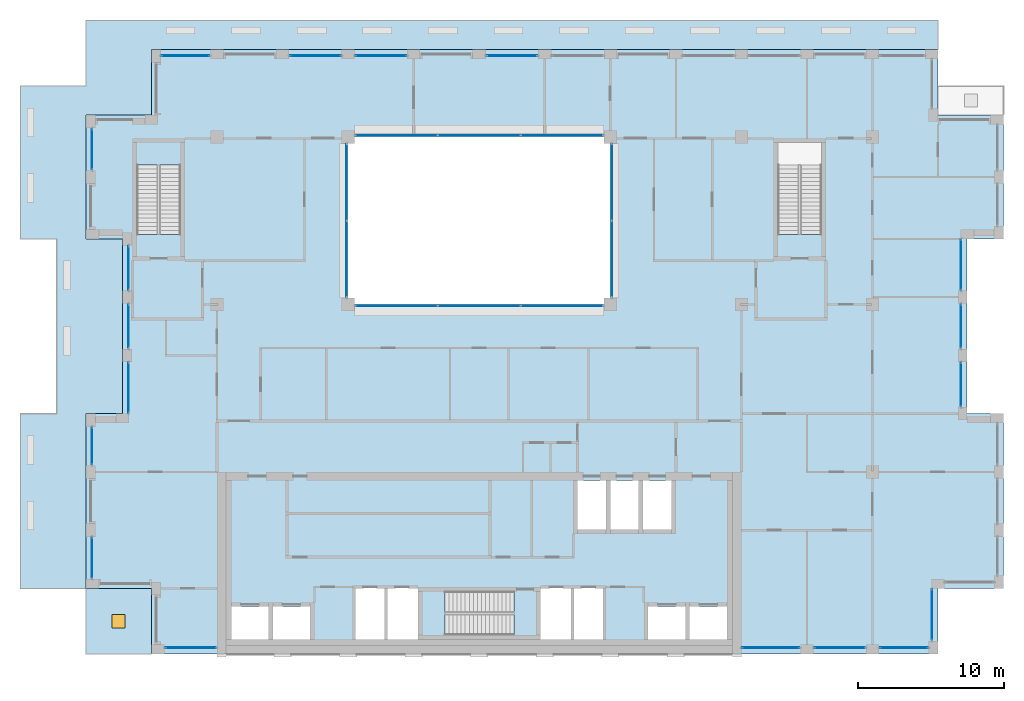
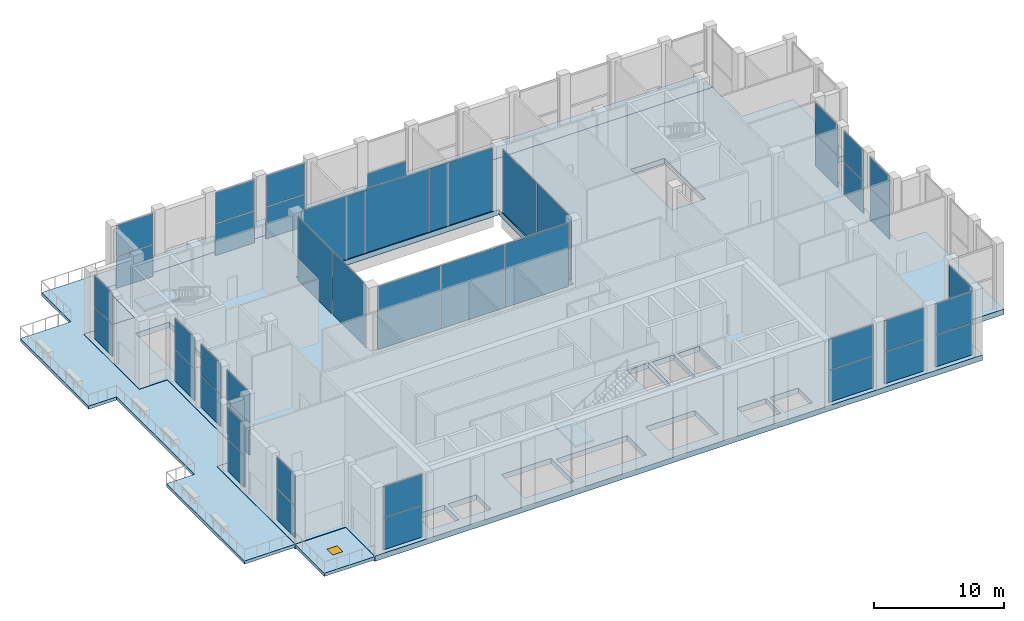
# One storey, part 10 of 18: 45 plates, 5 slabs, 1 window, 1 opening, 24 elements without a shape of their own.
"""IFC4 building model written with IfcOpenShell, lengths in metres."""

from ifc_helpers import new_model, si_unit, direction, frame, origin, origin_2d, place, context, subcontext, project, spatial, polyline, rectangle, outline, extrude, material, layer, layer_set, type_object, element, fill, aggregate, save


model = new_model("IFC4")

# Units and contexts
model_context = context("Model", 3, precision=1e-05, world=origin(), true_north=direction((0.0, 1.0)))
body_context = subcontext(model_context, "Body", "Model", "MODEL_VIEW")
ifc_project = project(units=[si_unit("LENGTHUNIT", "METRE"), si_unit("AREAUNIT", "SQUARE_METRE"), si_unit("VOLUMEUNIT", "CUBIC_METRE"), si_unit("PLANEANGLEUNIT", "RADIAN"), si_unit("MASSUNIT", "GRAM", prefix="KILO")], contexts=[model_context])

# Site, building, storey
site_placement = place(None, origin())
site = spatial("IfcSite", under=ifc_project, at=site_placement, CompositionType="ELEMENT")
building_placement = place(site_placement, origin())
building = spatial("IfcBuilding", under=site, at=building_placement, Name="Brigalow Station Residences", CompositionType="ELEMENT")
storey_placement = place(building_placement, frame((0.0, 0.0, 191.699951171875)))
storey = spatial("IfcBuildingStorey", under=building, at=storey_placement, Name="L55", CompositionType="ELEMENT", Elevation=191.699951171875)

# Curtain wall, plates
ifc_material_1 = material(Name="Aluminium", Category="aluminium")
ifc_layer_1 = layer(ifc_material_1, 0.14990234375)
ifc_layer_set_1 = layer_set([ifc_layer_1], Name="ATRIUM FIRE-RATED GLAZING CURTAIN WALL")
curtain_wall_type_1 = type_object("IfcCurtainWallType", Name="ATRIUM FIRE-RATED GLAZING CURTAIN WALL", PredefinedType="NOTDEFINED", material=ifc_layer_set_1)
curtain_wall_1_placement = place(storey_placement, origin())
curtain_wall_1 = element("IfcCurtainWall", 1, at=curtain_wall_1_placement, inside=storey, type_object=curtain_wall_type_1, Name="L55/cw/atrium-S", PredefinedType="NOTDEFINED")
ifc_material_2 = material(Name="Fire-resisting laminated glazing, FRL -/60/-", Category="glass")
ifc_layer_2 = layer(ifc_material_2, 0.031982421875)
ifc_layer_set_2 = layer_set([ifc_layer_2], Name="ATRIUM FIRE-RATED GLAZING PANEL 32")
plate_type_1 = type_object("IfcPlateType", Name="ATRIUM FIRE-RATED GLAZING PANEL 32", PredefinedType="CURTAIN_PANEL", material=ifc_layer_set_2)
plate_1_placement = place(storey_placement, frame((30.31494140625, 23.89990234375, 0.0), z_axis=(0.0, 0.0, 1.0), x_axis=(1.0, 0.0, 0.0)))
plate_1 = element("IfcPlate", 2, at=plate_1_placement, type_object=plate_type_1, Name="L55/cw/atrium-S/P00-00", PredefinedType="CURTAIN_PANEL", context=body_context, shape_type="SweptSolid", body=[
    extrude(rectangle(XDim=5.610107421875, YDim=0.031982421875, at=origin_2d()), origin(), (0.0, 0.0, 1.0), 5.919921875),
])
plate_2_placement = place(storey_placement, frame((36.0, 23.89990234375, 0.0), z_axis=(0.0, 0.0, 1.0), x_axis=(1.0, 0.0, 0.0)))
plate_2 = element("IfcPlate", 3, at=plate_2_placement, type_object=plate_type_1, Name="L55/cw/atrium-S/P01-00", PredefinedType="CURTAIN_PANEL", context=body_context, shape_type="SweptSolid", body=[
    extrude(rectangle(XDim=5.639892578125, YDim=0.031982421875, at=origin_2d()), origin(), (0.0, 0.0, 1.0), 5.919921875),
])
plate_3_placement = place(storey_placement, frame((41.68505859375, 23.89990234375, 0.0), z_axis=(0.0, 0.0, 1.0), x_axis=(1.0, 0.0, 0.0)))
plate_3 = element("IfcPlate", 4, at=plate_3_placement, type_object=plate_type_1, Name="L55/cw/atrium-S/P02-00", PredefinedType="CURTAIN_PANEL", context=body_context, shape_type="SweptSolid", body=[
    extrude(rectangle(XDim=5.610107421875, YDim=0.031982421875, at=origin_2d()), origin(), (0.0, 0.0, 1.0), 5.919921875),
])
aggregate(curtain_wall_1, [plate_1, plate_2, plate_3])

curtain_wall_2_placement = place(storey_placement, origin())
curtain_wall_2 = element("IfcCurtainWall", 5, at=curtain_wall_2_placement, inside=storey, type_object=curtain_wall_type_1, Name="L55/cw/atrium-E", PredefinedType="NOTDEFINED")
plate_4_placement = place(storey_placement, frame((45.10009765625, 27.114990234375, 0.0), z_axis=(0.0, 0.0, 1.0), x_axis=(0.0, 1.0, 0.0)))
plate_4 = element("IfcPlate", 6, at=plate_4_placement, type_object=plate_type_1, Name="L55/cw/atrium-E/P00-00", PredefinedType="CURTAIN_PANEL", context=body_context, shape_type="SweptSolid", body=[
    extrude(rectangle(XDim=5.2099609375, YDim=0.031982421875, at=origin_2d()), origin(), (0.0, 0.0, 1.0), 5.919921875),
])
plate_5_placement = place(storey_placement, frame((45.10009765625, 32.385009765625, 0.0), z_axis=(0.0, 0.0, 1.0), x_axis=(0.0, 1.0, 0.0)))
plate_5 = element("IfcPlate", 7, at=plate_5_placement, type_object=plate_type_1, Name="L55/cw/atrium-E/P01-00", PredefinedType="CURTAIN_PANEL", context=body_context, shape_type="SweptSolid", body=[
    extrude(rectangle(XDim=5.2099609375, YDim=0.031982421875, at=origin_2d()), origin(), (0.0, 0.0, 1.0), 5.919921875),
])
aggregate(curtain_wall_2, [plate_4, plate_5])

curtain_wall_3_placement = place(storey_placement, origin())
curtain_wall_3 = element("IfcCurtainWall", 8, at=curtain_wall_3_placement, inside=storey, type_object=curtain_wall_type_1, Name="L55/cw/atrium-N", PredefinedType="NOTDEFINED")
plate_6_placement = place(storey_placement, frame((41.68505859375, 35.60009765625, 0.0), z_axis=(0.0, 0.0, 1.0), x_axis=(-1.0, 0.0, 0.0)))
plate_6 = element("IfcPlate", 9, at=plate_6_placement, type_object=plate_type_1, Name="L55/cw/atrium-N/P00-00", PredefinedType="CURTAIN_PANEL", context=body_context, shape_type="SweptSolid", body=[
    extrude(rectangle(XDim=5.610107421875, YDim=0.031982421875, at=origin_2d()), origin(), (0.0, 0.0, 1.0), 5.919921875),
])
plate_7_placement = place(storey_placement, frame((36.0, 35.60009765625, 0.0), z_axis=(0.0, 0.0, 1.0), x_axis=(-1.0, 0.0, 0.0)))
plate_7 = element("IfcPlate", 10, at=plate_7_placement, type_object=plate_type_1, Name="L55/cw/atrium-N/P01-00", PredefinedType="CURTAIN_PANEL", context=body_context, shape_type="SweptSolid", body=[
    extrude(rectangle(XDim=5.639892578125, YDim=0.031982421875, at=origin_2d()), origin(), (0.0, 0.0, 1.0), 5.919921875),
])
plate_8_placement = place(storey_placement, frame((30.31494140625, 35.60009765625, 0.0), z_axis=(0.0, 0.0, 1.0), x_axis=(-1.0, 0.0, 0.0)))
plate_8 = element("IfcPlate", 11, at=plate_8_placement, type_object=plate_type_1, Name="L55/cw/atrium-N/P02-00", PredefinedType="CURTAIN_PANEL", context=body_context, shape_type="SweptSolid", body=[
    extrude(rectangle(XDim=5.610107421875, YDim=0.031982421875, at=origin_2d()), origin(), (0.0, 0.0, 1.0), 5.919921875),
])
aggregate(curtain_wall_3, [plate_6, plate_7, plate_8])

curtain_wall_4_placement = place(storey_placement, origin())
curtain_wall_4 = element("IfcCurtainWall", 12, at=curtain_wall_4_placement, inside=storey, type_object=curtain_wall_type_1, Name="L55/cw/atrium-W", PredefinedType="NOTDEFINED")
plate_9_placement = place(storey_placement, frame((26.89990234375, 32.385009765625, 0.0), z_axis=(0.0, 0.0, 1.0), x_axis=(0.0, -1.0, 0.0)))
plate_9 = element("IfcPlate", 13, at=plate_9_placement, type_object=plate_type_1, Name="L55/cw/atrium-W/P00-00", PredefinedType="CURTAIN_PANEL", context=body_context, shape_type="SweptSolid", body=[
    extrude(rectangle(XDim=5.2099609375, YDim=0.031982421875, at=origin_2d()), origin(), (0.0, 0.0, 1.0), 5.919921875),
])
plate_10_placement = place(storey_placement, frame((26.89990234375, 27.114990234375, 0.0), z_axis=(0.0, 0.0, 1.0), x_axis=(0.0, -1.0, 0.0)))
plate_10 = element("IfcPlate", 14, at=plate_10_placement, type_object=plate_type_1, Name="L55/cw/atrium-W/P01-00", PredefinedType="CURTAIN_PANEL", context=body_context, shape_type="SweptSolid", body=[
    extrude(rectangle(XDim=5.2099609375, YDim=0.031982421875, at=origin_2d()), origin(), (0.0, 0.0, 1.0), 5.919921875),
])
aggregate(curtain_wall_4, [plate_9, plate_10])

# Slab
ifc_material_3 = material(Name="Concrete C50", Category="concrete")
ifc_layer_3 = layer(ifc_material_3, 0.5)
ifc_layer_set_3 = layer_set([ifc_layer_3], Name="POST-TENSIONED SKY FLOOR PLATE 500 C50")
slab_type_1 = type_object("IfcSlabType", Name="POST-TENSIONED SKY FLOOR PLATE 500 C50", PredefinedType="FLOOR", material=ifc_layer_set_3)
slab_1_placement = place(storey_placement, frame((0.0, 0.0, -0.5)))
element("IfcSlab", 15, at=slab_1_placement, inside=storey, type_object=slab_type_1, Name="FLOOR SLAB L55", PredefinedType="FLOOR", context=body_context, shape_type="SweptSolid", body=[
    extrude(outline(polyline([(13.5, 0.0), (67.5, 0.0), (67.5, 4.5), (72.0, 4.5), (72.0, 16.5), (69.5, 16.5), (69.5, 28.5), (72.0, 28.5), (72.0, 37.0), (67.5, 37.0), (67.5, 41.5), (13.5, 41.5), (13.5, 37.0), (9.0, 37.0), (9.0, 28.5), (11.5, 28.5), (11.5, 16.5), (9.0, 16.5), (9.0, 4.5), (13.5, 4.5), (13.5, 0.0)]), holes=[polyline([(12.5048828125, 35.094970703125), (15.4951171875, 35.094970703125), (15.4951171875, 28.804931640625), (12.5048828125, 28.804931640625), (12.5048828125, 35.094970703125)]), polyline([(19.0, 1.0), (19.0, 3.25), (21.550048828125, 3.25), (21.550048828125, 1.0), (19.0, 1.0)]), polyline([(21.85009765625, 3.25), (24.39990234375, 3.25), (24.39990234375, 1.0), (21.85009765625, 1.0), (21.85009765625, 3.25)]), polyline([(27.0, 35.5), (45.0, 35.5), (45.0, 24.0), (27.0, 24.0), (27.0, 35.5)]), polyline([(29.60009765625, 4.60009765625), (31.800048828125, 4.60009765625), (31.800048828125, 1.0), (29.60009765625, 1.0), (27.39990234375, 1.0), (27.39990234375, 4.60009765625), (29.60009765625, 4.60009765625)]), polyline([(32.10498046875, 4.294921875), (38.39501953125, 4.294921875), (38.39501953125, 1.304931640625), (32.10498046875, 1.304931640625), (32.10498046875, 4.294921875)]), polyline([(40.199951171875, 4.60009765625), (42.39990234375, 4.60009765625), (44.60009765625, 4.60009765625), (44.60009765625, 1.0), (42.39990234375, 1.0), (40.199951171875, 1.0), (40.199951171875, 4.60009765625)]), polyline([(42.75, 11.89990234375), (44.699951171875, 11.89990234375), (44.699951171875, 8.550048828125), (42.75, 8.550048828125), (42.75, 11.89990234375)]), polyline([(45.0, 11.89990234375), (46.949951171875, 11.89990234375), (46.949951171875, 8.550048828125), (45.0, 8.550048828125), (45.0, 11.89990234375)]), polyline([(47.25, 11.89990234375), (49.199951171875, 11.89990234375), (49.199951171875, 8.550048828125), (47.25, 8.550048828125), (47.25, 11.89990234375)]), polyline([(47.60009765625, 3.25), (50.14990234375, 3.25), (50.14990234375, 1.0), (47.60009765625, 1.0), (47.60009765625, 3.25)]), polyline([(50.449951171875, 3.25), (53.0, 3.25), (53.0, 1.0), (50.449951171875, 1.0), (50.449951171875, 3.25)]), polyline([(56.5048828125, 35.094970703125), (59.4951171875, 35.094970703125), (59.4951171875, 28.804931640625), (56.5048828125, 28.804931640625), (56.5048828125, 35.094970703125)])]), origin(), (0.0, 0.0, 1.0), 0.5),
])

# Curtain wall, plates
ifc_material_4 = material(Name="Aluminium", Category="aluminium")
ifc_layer_4 = layer(ifc_material_4, 0.199951171875)
ifc_layer_set_4 = layer_set([ifc_layer_4], Name="SKY FLOOR GLAZING CURTAIN WALL")
curtain_wall_type_2 = type_object("IfcCurtainWallType", Name="SKY FLOOR GLAZING CURTAIN WALL", PredefinedType="NOTDEFINED", material=ifc_layer_set_4)
curtain_wall_5_placement = place(storey_placement, origin())
curtain_wall_5 = element("IfcCurtainWall", 16, at=curtain_wall_5_placement, inside=storey, type_object=curtain_wall_type_2, Name="L55/cw/W-L55-1", PredefinedType="NOTDEFINED")
ifc_material_5 = material(Name="Laminated low-emissivity double-glazed unit")
ifc_layer_5 = layer(ifc_material_5, 0.050048828125)
ifc_layer_set_5 = layer_set([ifc_layer_5], Name="SKY FLOOR GLAZING PANEL 50")
plate_type_2 = type_object("IfcPlateType", Name="SKY FLOOR GLAZING PANEL 50", PredefinedType="CURTAIN_PANEL", material=ifc_layer_set_5)
plate_11_placement = place(storey_placement, frame((16.199951171875, 0.425048828125, 0.0), z_axis=(0.0, 0.0, 1.0), x_axis=(1.0, 0.0, 0.0)))
plate_11 = element("IfcPlate", 17, at=plate_11_placement, type_object=plate_type_2, Name="L55/cw/W-L55-1/P00-00", PredefinedType="CURTAIN_PANEL", context=body_context, shape_type="SweptSolid", body=[
    extrude(rectangle(XDim=3.4599609375, YDim=0.050048828125, at=origin_2d()), origin(), (0.0, 0.0, 1.0), 2.955078125),
])
plate_12_placement = place(storey_placement, frame((16.199951171875, 0.425048828125, 3.02490234375), z_axis=(0.0, 0.0, 1.0), x_axis=(1.0, 0.0, 0.0)))
plate_12 = element("IfcPlate", 18, at=plate_12_placement, type_object=plate_type_2, Name="L55/cw/W-L55-1/P00-01", PredefinedType="CURTAIN_PANEL", context=body_context, shape_type="SweptSolid", body=[
    extrude(rectangle(XDim=3.4599609375, YDim=0.050048828125, at=origin_2d()), origin(), (0.0, 0.0, 1.0), 2.885009765625),
])
aggregate(curtain_wall_5, [plate_11, plate_12])

curtain_wall_6_placement = place(storey_placement, origin())
curtain_wall_6 = element("IfcCurtainWall", 19, at=curtain_wall_6_placement, inside=storey, type_object=curtain_wall_type_2, Name="L55/cw/W-L55-3", PredefinedType="NOTDEFINED")
plate_13_placement = place(storey_placement, frame((56.02490234375, 0.425048828125, 0.0), z_axis=(0.0, 0.0, 1.0), x_axis=(1.0, 0.0, 0.0)))
plate_13 = element("IfcPlate", 20, at=plate_13_placement, type_object=plate_type_2, Name="L55/cw/W-L55-3/P00-00", PredefinedType="CURTAIN_PANEL", context=body_context, shape_type="SweptSolid", body=[
    extrude(rectangle(XDim=3.909912109375, YDim=0.050048828125, at=origin_2d()), origin(), (0.0, 0.0, 1.0), 2.955078125),
])
plate_14_placement = place(storey_placement, frame((56.02490234375, 0.425048828125, 3.02490234375), z_axis=(0.0, 0.0, 1.0), x_axis=(1.0, 0.0, 0.0)))
plate_14 = element("IfcPlate", 21, at=plate_14_placement, type_object=plate_type_2, Name="L55/cw/W-L55-3/P00-01", PredefinedType="CURTAIN_PANEL", context=body_context, shape_type="SweptSolid", body=[
    extrude(rectangle(XDim=3.909912109375, YDim=0.050048828125, at=origin_2d()), origin(), (0.0, 0.0, 1.0), 2.885009765625),
])
aggregate(curtain_wall_6, [plate_13, plate_14])

curtain_wall_7_placement = place(storey_placement, origin())
curtain_wall_7 = element("IfcCurtainWall", 22, at=curtain_wall_7_placement, inside=storey, type_object=curtain_wall_type_2, Name="L55/cw/W-L55-4", PredefinedType="NOTDEFINED")
plate_15_placement = place(storey_placement, frame((60.75, 0.425048828125, 0.0), z_axis=(0.0, 0.0, 1.0), x_axis=(1.0, 0.0, 0.0)))
plate_15 = element("IfcPlate", 23, at=plate_15_placement, type_object=plate_type_2, Name="L55/cw/W-L55-4/P00-00", PredefinedType="CURTAIN_PANEL", context=body_context, shape_type="SweptSolid", body=[
    extrude(rectangle(XDim=3.4599609375, YDim=0.050048828125, at=origin_2d()), origin(), (0.0, 0.0, 1.0), 2.955078125),
])
plate_16_placement = place(storey_placement, frame((60.75, 0.425048828125, 3.02490234375), z_axis=(0.0, 0.0, 1.0), x_axis=(1.0, 0.0, 0.0)))
plate_16 = element("IfcPlate", 24, at=plate_16_placement, type_object=plate_type_2, Name="L55/cw/W-L55-4/P00-01", PredefinedType="CURTAIN_PANEL", context=body_context, shape_type="SweptSolid", body=[
    extrude(rectangle(XDim=3.4599609375, YDim=0.050048828125, at=origin_2d()), origin(), (0.0, 0.0, 1.0), 2.885009765625),
])
aggregate(curtain_wall_7, [plate_15, plate_16])

curtain_wall_8_placement = place(storey_placement, origin())
curtain_wall_8 = element("IfcCurtainWall", 25, at=curtain_wall_8_placement, inside=storey, type_object=curtain_wall_type_2, Name="L55/cw/W-L55-5", PredefinedType="NOTDEFINED")
plate_17_placement = place(storey_placement, frame((65.14990234375, 0.425048828125, 0.0), z_axis=(0.0, 0.0, 1.0), x_axis=(1.0, 0.0, 0.0)))
plate_17 = element("IfcPlate", 26, at=plate_17_placement, type_object=plate_type_2, Name="L55/cw/W-L55-5/P00-00", PredefinedType="CURTAIN_PANEL", context=body_context, shape_type="SweptSolid", body=[
    extrude(rectangle(XDim=3.260009765625, YDim=0.050048828125, at=origin_2d()), origin(), (0.0, 0.0, 1.0), 2.955078125),
])
plate_18_placement = place(storey_placement, frame((65.14990234375, 0.425048828125, 3.02490234375), z_axis=(0.0, 0.0, 1.0), x_axis=(1.0, 0.0, 0.0)))
plate_18 = element("IfcPlate", 27, at=plate_18_placement, type_object=plate_type_2, Name="L55/cw/W-L55-5/P00-01", PredefinedType="CURTAIN_PANEL", context=body_context, shape_type="SweptSolid", body=[
    extrude(rectangle(XDim=3.260009765625, YDim=0.050048828125, at=origin_2d()), origin(), (0.0, 0.0, 1.0), 2.885009765625),
])
aggregate(curtain_wall_8, [plate_17, plate_18])

curtain_wall_9_placement = place(storey_placement, origin())
curtain_wall_9 = element("IfcCurtainWall", 28, at=curtain_wall_9_placement, inside=storey, type_object=curtain_wall_type_2, Name="L55/cw/W-L55-6", PredefinedType="NOTDEFINED")
plate_19_placement = place(storey_placement, frame((67.074951171875, 2.699951171875, 0.0), z_axis=(0.0, 0.0, 1.0), x_axis=(0.0, 1.0, 0.0)))
plate_19 = element("IfcPlate", 29, at=plate_19_placement, type_object=plate_type_2, Name="L55/cw/W-L55-6/P00-00", PredefinedType="CURTAIN_PANEL", context=body_context, shape_type="SweptSolid", body=[
    extrude(rectangle(XDim=3.4599609375, YDim=0.050048828125, at=origin_2d()), origin(), (0.0, 0.0, 1.0), 2.955078125),
])
plate_20_placement = place(storey_placement, frame((67.074951171875, 2.699951171875, 3.02490234375), z_axis=(0.0, 0.0, 1.0), x_axis=(0.0, 1.0, 0.0)))
plate_20 = element("IfcPlate", 30, at=plate_20_placement, type_object=plate_type_2, Name="L55/cw/W-L55-6/P00-01", PredefinedType="CURTAIN_PANEL", context=body_context, shape_type="SweptSolid", body=[
    extrude(rectangle(XDim=3.4599609375, YDim=0.050048828125, at=origin_2d()), origin(), (0.0, 0.0, 1.0), 2.885009765625),
])
aggregate(curtain_wall_9, [plate_19, plate_20])

curtain_wall_10_placement = place(storey_placement, origin())
curtain_wall_10 = element("IfcCurtainWall", 31, at=curtain_wall_10_placement, inside=storey, type_object=curtain_wall_type_2, Name="L55/cw/W-L55-12", PredefinedType="NOTDEFINED")
plate_21_placement = place(storey_placement, frame((69.074951171875, 18.5, 0.0), z_axis=(0.0, 0.0, 1.0), x_axis=(0.0, 1.0, 0.0)))
plate_21 = element("IfcPlate", 32, at=plate_21_placement, type_object=plate_type_2, Name="L55/cw/W-L55-12/P00-00", PredefinedType="CURTAIN_PANEL", context=body_context, shape_type="SweptSolid", body=[
    extrude(rectangle(XDim=2.9599609375, YDim=0.050048828125, at=origin_2d()), origin(), (0.0, 0.0, 1.0), 2.955078125),
])
plate_22_placement = place(storey_placement, frame((69.074951171875, 18.5, 3.02490234375), z_axis=(0.0, 0.0, 1.0), x_axis=(0.0, 1.0, 0.0)))
plate_22 = element("IfcPlate", 33, at=plate_22_placement, type_object=plate_type_2, Name="L55/cw/W-L55-12/P00-01", PredefinedType="CURTAIN_PANEL", context=body_context, shape_type="SweptSolid", body=[
    extrude(rectangle(XDim=2.9599609375, YDim=0.050048828125, at=origin_2d()), origin(), (0.0, 0.0, 1.0), 2.885009765625),
])
aggregate(curtain_wall_10, [plate_21, plate_22])

curtain_wall_11_placement = place(storey_placement, origin())
curtain_wall_11 = element("IfcCurtainWall", 34, at=curtain_wall_11_placement, inside=storey, type_object=curtain_wall_type_2, Name="L55/cw/W-L55-13", PredefinedType="NOTDEFINED")
plate_23_placement = place(storey_placement, frame((69.074951171875, 22.5, 0.0), z_axis=(0.0, 0.0, 1.0), x_axis=(0.0, 1.0, 0.0)))
plate_23 = element("IfcPlate", 35, at=plate_23_placement, type_object=plate_type_2, Name="L55/cw/W-L55-13/P00-00", PredefinedType="CURTAIN_PANEL", context=body_context, shape_type="SweptSolid", body=[
    extrude(rectangle(XDim=2.9599609375, YDim=0.050048828125, at=origin_2d()), origin(), (0.0, 0.0, 1.0), 2.955078125),
])
plate_24_placement = place(storey_placement, frame((69.074951171875, 22.5, 3.02490234375), z_axis=(0.0, 0.0, 1.0), x_axis=(0.0, 1.0, 0.0)))
plate_24 = element("IfcPlate", 36, at=plate_24_placement, type_object=plate_type_2, Name="L55/cw/W-L55-13/P00-01", PredefinedType="CURTAIN_PANEL", context=body_context, shape_type="SweptSolid", body=[
    extrude(rectangle(XDim=2.9599609375, YDim=0.050048828125, at=origin_2d()), origin(), (0.0, 0.0, 1.0), 2.885009765625),
])
aggregate(curtain_wall_11, [plate_23, plate_24])

curtain_wall_12_placement = place(storey_placement, origin())
curtain_wall_12 = element("IfcCurtainWall", 37, at=curtain_wall_12_placement, inside=storey, type_object=curtain_wall_type_2, Name="L55/cw/W-L55-14", PredefinedType="NOTDEFINED")
plate_25_placement = place(storey_placement, frame((69.074951171875, 26.72509765625, 0.0), z_axis=(0.0, 0.0, 1.0), x_axis=(0.0, 1.0, 0.0)))
plate_25 = element("IfcPlate", 38, at=plate_25_placement, type_object=plate_type_2, Name="L55/cw/W-L55-14/P00-00", PredefinedType="CURTAIN_PANEL", context=body_context, shape_type="SweptSolid", body=[
    extrude(rectangle(XDim=3.409912109375, YDim=0.050048828125, at=origin_2d()), origin(), (0.0, 0.0, 1.0), 2.955078125),
])
plate_26_placement = place(storey_placement, frame((69.074951171875, 26.72509765625, 3.02490234375), z_axis=(0.0, 0.0, 1.0), x_axis=(0.0, 1.0, 0.0)))
plate_26 = element("IfcPlate", 39, at=plate_26_placement, type_object=plate_type_2, Name="L55/cw/W-L55-14/P00-01", PredefinedType="CURTAIN_PANEL", context=body_context, shape_type="SweptSolid", body=[
    extrude(rectangle(XDim=3.409912109375, YDim=0.050048828125, at=origin_2d()), origin(), (0.0, 0.0, 1.0), 2.885009765625),
])
aggregate(curtain_wall_12, [plate_25, plate_26])

# Curtain wall, plate
curtain_wall_13_placement = place(storey_placement, origin())
curtain_wall_13 = element("IfcCurtainWall", 40, at=curtain_wall_13_placement, inside=storey, type_object=curtain_wall_type_2, Name="L55/cw/W-L55-26", PredefinedType="NOTDEFINED")
plate_27_placement = place(storey_placement, frame((38.25, 41.074951171875, 0.0), z_axis=(0.0, 0.0, 1.0), x_axis=(-1.0, 0.0, 0.0)))
plate_27 = element("IfcPlate", 41, at=plate_27_placement, type_object=plate_type_2, Name="L55/cw/W-L55-26/P00-00", PredefinedType="CURTAIN_PANEL", context=body_context, shape_type="SweptSolid", body=[
    extrude(rectangle(XDim=3.4599609375, YDim=0.050048828125, at=origin_2d()), origin(), (0.0, 0.0, 1.0), 2.955078125),
])
aggregate(curtain_wall_13, [plate_27])

# Curtain wall, plates
curtain_wall_14_placement = place(storey_placement, origin())
curtain_wall_14 = element("IfcCurtainWall", 42, at=curtain_wall_14_placement, inside=storey, type_object=curtain_wall_type_2, Name="L55/cw/W-L55-28", PredefinedType="NOTDEFINED")
plate_28_placement = place(storey_placement, frame((29.25, 41.074951171875, 0.0), z_axis=(0.0, 0.0, 1.0), x_axis=(-1.0, 0.0, 0.0)))
plate_28 = element("IfcPlate", 43, at=plate_28_placement, type_object=plate_type_2, Name="L55/cw/W-L55-28/P00-00", PredefinedType="CURTAIN_PANEL", context=body_context, shape_type="SweptSolid", body=[
    extrude(rectangle(XDim=3.4599609375, YDim=0.050048828125, at=origin_2d()), origin(), (0.0, 0.0, 1.0), 2.955078125),
])
plate_29_placement = place(storey_placement, frame((29.25, 41.074951171875, 3.02490234375), z_axis=(0.0, 0.0, 1.0), x_axis=(-1.0, 0.0, 0.0)))
plate_29 = element("IfcPlate", 44, at=plate_29_placement, type_object=plate_type_2, Name="L55/cw/W-L55-28/P00-01", PredefinedType="CURTAIN_PANEL", context=body_context, shape_type="SweptSolid", body=[
    extrude(rectangle(XDim=3.4599609375, YDim=0.050048828125, at=origin_2d()), origin(), (0.0, 0.0, 1.0), 2.885009765625),
])
aggregate(curtain_wall_14, [plate_28, plate_29])

curtain_wall_15_placement = place(storey_placement, origin())
curtain_wall_15 = element("IfcCurtainWall", 45, at=curtain_wall_15_placement, inside=storey, type_object=curtain_wall_type_2, Name="L55/cw/W-L55-29", PredefinedType="NOTDEFINED")
plate_30_placement = place(storey_placement, frame((24.75, 41.074951171875, 0.0), z_axis=(0.0, 0.0, 1.0), x_axis=(-1.0, 0.0, 0.0)))
plate_30 = element("IfcPlate", 46, at=plate_30_placement, type_object=plate_type_2, Name="L55/cw/W-L55-29/P00-00", PredefinedType="CURTAIN_PANEL", context=body_context, shape_type="SweptSolid", body=[
    extrude(rectangle(XDim=3.4599609375, YDim=0.050048828125, at=origin_2d()), origin(), (0.0, 0.0, 1.0), 2.955078125),
])
plate_31_placement = place(storey_placement, frame((24.75, 41.074951171875, 3.02490234375), z_axis=(0.0, 0.0, 1.0), x_axis=(-1.0, 0.0, 0.0)))
plate_31 = element("IfcPlate", 47, at=plate_31_placement, type_object=plate_type_2, Name="L55/cw/W-L55-29/P00-01", PredefinedType="CURTAIN_PANEL", context=body_context, shape_type="SweptSolid", body=[
    extrude(rectangle(XDim=3.4599609375, YDim=0.050048828125, at=origin_2d()), origin(), (0.0, 0.0, 1.0), 2.885009765625),
])
aggregate(curtain_wall_15, [plate_30, plate_31])

curtain_wall_16_placement = place(storey_placement, origin())
curtain_wall_16 = element("IfcCurtainWall", 48, at=curtain_wall_16_placement, inside=storey, type_object=curtain_wall_type_2, Name="L55/cw/W-L55-31", PredefinedType="NOTDEFINED")
plate_32_placement = place(storey_placement, frame((15.85009765625, 41.074951171875, 0.0), z_axis=(0.0, 0.0, 1.0), x_axis=(-1.0, 0.0, 0.0)))
plate_32 = element("IfcPlate", 49, at=plate_32_placement, type_object=plate_type_2, Name="L55/cw/W-L55-31/P00-00", PredefinedType="CURTAIN_PANEL", context=body_context, shape_type="SweptSolid", body=[
    extrude(rectangle(XDim=3.260009765625, YDim=0.050048828125, at=origin_2d()), origin(), (0.0, 0.0, 1.0), 2.955078125),
])
plate_33_placement = place(storey_placement, frame((15.85009765625, 41.074951171875, 3.02490234375), z_axis=(0.0, 0.0, 1.0), x_axis=(-1.0, 0.0, 0.0)))
plate_33 = element("IfcPlate", 50, at=plate_33_placement, type_object=plate_type_2, Name="L55/cw/W-L55-31/P00-01", PredefinedType="CURTAIN_PANEL", context=body_context, shape_type="SweptSolid", body=[
    extrude(rectangle(XDim=3.260009765625, YDim=0.050048828125, at=origin_2d()), origin(), (0.0, 0.0, 1.0), 2.885009765625),
])
aggregate(curtain_wall_16, [plate_32, plate_33])

curtain_wall_17_placement = place(storey_placement, origin())
curtain_wall_17 = element("IfcCurtainWall", 51, at=curtain_wall_17_placement, inside=storey, type_object=curtain_wall_type_2, Name="L55/cw/W-L55-34", PredefinedType="NOTDEFINED")
plate_34_placement = place(storey_placement, frame((9.425048828125, 34.64990234375, 0.0), z_axis=(0.0, 0.0, 1.0), x_axis=(0.0, -1.0, 0.0)))
plate_34 = element("IfcPlate", 52, at=plate_34_placement, type_object=plate_type_2, Name="L55/cw/W-L55-34/P00-00", PredefinedType="CURTAIN_PANEL", context=body_context, shape_type="SweptSolid", body=[
    extrude(rectangle(XDim=2.760009765625, YDim=0.050048828125, at=origin_2d()), origin(), (0.0, 0.0, 1.0), 2.955078125),
])
plate_35_placement = place(storey_placement, frame((9.425048828125, 34.64990234375, 3.02490234375), z_axis=(0.0, 0.0, 1.0), x_axis=(0.0, -1.0, 0.0)))
plate_35 = element("IfcPlate", 53, at=plate_35_placement, type_object=plate_type_2, Name="L55/cw/W-L55-34/P00-01", PredefinedType="CURTAIN_PANEL", context=body_context, shape_type="SweptSolid", body=[
    extrude(rectangle(XDim=2.760009765625, YDim=0.050048828125, at=origin_2d()), origin(), (0.0, 0.0, 1.0), 2.885009765625),
])
aggregate(curtain_wall_17, [plate_34, plate_35])

curtain_wall_18_placement = place(storey_placement, origin())
curtain_wall_18 = element("IfcCurtainWall", 54, at=curtain_wall_18_placement, inside=storey, type_object=curtain_wall_type_2, Name="L55/cw/W-L55-37", PredefinedType="NOTDEFINED")
plate_36_placement = place(storey_placement, frame((11.925048828125, 26.5, 0.0), z_axis=(0.0, 0.0, 1.0), x_axis=(0.0, -1.0, 0.0)))
plate_36 = element("IfcPlate", 55, at=plate_36_placement, type_object=plate_type_2, Name="L55/cw/W-L55-37/P00-00", PredefinedType="CURTAIN_PANEL", context=body_context, shape_type="SweptSolid", body=[
    extrude(rectangle(XDim=2.9599609375, YDim=0.050048828125, at=origin_2d()), origin(), (0.0, 0.0, 1.0), 2.955078125),
])
plate_37_placement = place(storey_placement, frame((11.925048828125, 26.5, 3.02490234375), z_axis=(0.0, 0.0, 1.0), x_axis=(0.0, -1.0, 0.0)))
plate_37 = element("IfcPlate", 56, at=plate_37_placement, type_object=plate_type_2, Name="L55/cw/W-L55-37/P00-01", PredefinedType="CURTAIN_PANEL", context=body_context, shape_type="SweptSolid", body=[
    extrude(rectangle(XDim=2.9599609375, YDim=0.050048828125, at=origin_2d()), origin(), (0.0, 0.0, 1.0), 2.885009765625),
])
aggregate(curtain_wall_18, [plate_36, plate_37])

curtain_wall_19_placement = place(storey_placement, origin())
curtain_wall_19 = element("IfcCurtainWall", 57, at=curtain_wall_19_placement, inside=storey, type_object=curtain_wall_type_2, Name="L55/cw/W-L55-38", PredefinedType="NOTDEFINED")
plate_38_placement = place(storey_placement, frame((11.925048828125, 22.5, 0.0), z_axis=(0.0, 0.0, 1.0), x_axis=(0.0, -1.0, 0.0)))
plate_38 = element("IfcPlate", 58, at=plate_38_placement, type_object=plate_type_2, Name="L55/cw/W-L55-38/P00-00", PredefinedType="CURTAIN_PANEL", context=body_context, shape_type="SweptSolid", body=[
    extrude(rectangle(XDim=2.9599609375, YDim=0.050048828125, at=origin_2d()), origin(), (0.0, 0.0, 1.0), 2.955078125),
])
plate_39_placement = place(storey_placement, frame((11.925048828125, 22.5, 3.02490234375), z_axis=(0.0, 0.0, 1.0), x_axis=(0.0, -1.0, 0.0)))
plate_39 = element("IfcPlate", 59, at=plate_39_placement, type_object=plate_type_2, Name="L55/cw/W-L55-38/P00-01", PredefinedType="CURTAIN_PANEL", context=body_context, shape_type="SweptSolid", body=[
    extrude(rectangle(XDim=2.9599609375, YDim=0.050048828125, at=origin_2d()), origin(), (0.0, 0.0, 1.0), 2.885009765625),
])
aggregate(curtain_wall_19, [plate_38, plate_39])

curtain_wall_20_placement = place(storey_placement, origin())
curtain_wall_20 = element("IfcCurtainWall", 60, at=curtain_wall_20_placement, inside=storey, type_object=curtain_wall_type_2, Name="L55/cw/W-L55-39", PredefinedType="NOTDEFINED")
plate_40_placement = place(storey_placement, frame((11.925048828125, 18.27490234375, 0.0), z_axis=(0.0, 0.0, 1.0), x_axis=(0.0, -1.0, 0.0)))
plate_40 = element("IfcPlate", 61, at=plate_40_placement, type_object=plate_type_2, Name="L55/cw/W-L55-39/P00-00", PredefinedType="CURTAIN_PANEL", context=body_context, shape_type="SweptSolid", body=[
    extrude(rectangle(XDim=3.409912109375, YDim=0.050048828125, at=origin_2d()), origin(), (0.0, 0.0, 1.0), 2.955078125),
])
plate_41_placement = place(storey_placement, frame((11.925048828125, 18.27490234375, 3.02490234375), z_axis=(0.0, 0.0, 1.0), x_axis=(0.0, -1.0, 0.0)))
plate_41 = element("IfcPlate", 62, at=plate_41_placement, type_object=plate_type_2, Name="L55/cw/W-L55-39/P00-01", PredefinedType="CURTAIN_PANEL", context=body_context, shape_type="SweptSolid", body=[
    extrude(rectangle(XDim=3.409912109375, YDim=0.050048828125, at=origin_2d()), origin(), (0.0, 0.0, 1.0), 2.885009765625),
])
aggregate(curtain_wall_20, [plate_40, plate_41])

curtain_wall_21_placement = place(storey_placement, origin())
curtain_wall_21 = element("IfcCurtainWall", 63, at=curtain_wall_21_placement, inside=storey, type_object=curtain_wall_type_2, Name="L55/cw/W-L55-41", PredefinedType="NOTDEFINED")
plate_42_placement = place(storey_placement, frame((9.425048828125, 14.27490234375, 0.0), z_axis=(0.0, 0.0, 1.0), x_axis=(0.0, -1.0, 0.0)))
plate_42 = element("IfcPlate", 64, at=plate_42_placement, type_object=plate_type_2, Name="L55/cw/W-L55-41/P00-00", PredefinedType="CURTAIN_PANEL", context=body_context, shape_type="SweptSolid", body=[
    extrude(rectangle(XDim=2.510009765625, YDim=0.050048828125, at=origin_2d()), origin(), (0.0, 0.0, 1.0), 2.955078125),
])
plate_43_placement = place(storey_placement, frame((9.425048828125, 14.27490234375, 3.02490234375), z_axis=(0.0, 0.0, 1.0), x_axis=(0.0, -1.0, 0.0)))
plate_43 = element("IfcPlate", 65, at=plate_43_placement, type_object=plate_type_2, Name="L55/cw/W-L55-41/P00-01", PredefinedType="CURTAIN_PANEL", context=body_context, shape_type="SweptSolid", body=[
    extrude(rectangle(XDim=2.510009765625, YDim=0.050048828125, at=origin_2d()), origin(), (0.0, 0.0, 1.0), 2.885009765625),
])
aggregate(curtain_wall_21, [plate_42, plate_43])

curtain_wall_22_placement = place(storey_placement, origin())
curtain_wall_22 = element("IfcCurtainWall", 66, at=curtain_wall_22_placement, inside=storey, type_object=curtain_wall_type_2, Name="L55/cw/W-L55-43", PredefinedType="NOTDEFINED")
plate_44_placement = place(storey_placement, frame((9.425048828125, 6.60009765625, 0.0), z_axis=(0.0, 0.0, 1.0), x_axis=(0.0, -1.0, 0.0)))
plate_44 = element("IfcPlate", 67, at=plate_44_placement, type_object=plate_type_2, Name="L55/cw/W-L55-43/P00-00", PredefinedType="CURTAIN_PANEL", context=body_context, shape_type="SweptSolid", body=[
    extrude(rectangle(XDim=2.760009765625, YDim=0.050048828125, at=origin_2d()), origin(), (0.0, 0.0, 1.0), 2.955078125),
])
plate_45_placement = place(storey_placement, frame((9.425048828125, 6.60009765625, 3.02490234375), z_axis=(0.0, 0.0, 1.0), x_axis=(0.0, -1.0, 0.0)))
plate_45 = element("IfcPlate", 68, at=plate_45_placement, type_object=plate_type_2, Name="L55/cw/W-L55-43/P00-01", PredefinedType="CURTAIN_PANEL", context=body_context, shape_type="SweptSolid", body=[
    extrude(rectangle(XDim=2.760009765625, YDim=0.050048828125, at=origin_2d()), origin(), (0.0, 0.0, 1.0), 2.885009765625),
])
aggregate(curtain_wall_22, [plate_44, plate_45])

# Stair, slab
ifc_material_6 = material(Name="Concrete C50", Category="concrete")
stair_type = type_object("IfcStairType", Name="EXIT STAIR 1400 2 FLIGHT", PredefinedType="HALF_TURN_STAIR", material=ifc_material_6)
stair_1_placement = place(storey_placement, origin())
stair_1 = element("IfcStair", 69, at=stair_1_placement, inside=storey, type_object=stair_type, Name="EXIT STAIR S2 L55", PredefinedType="HALF_TURN_STAIR")
ifc_material_7 = material(Name="Concrete C50", Category="concrete")
ifc_layer_6 = layer(ifc_material_7, 0.199951171875)
ifc_layer_set_6 = layer_set([ifc_layer_6], Name="STAIR LANDING 200")
slab_type_2 = type_object("IfcSlabType", Name="STAIR LANDING 200", PredefinedType="LANDING", material=ifc_layer_set_6)
slab_2_placement = place(storey_placement, frame((0.0, 0.0, 2.949951171875)))
slab_2 = element("IfcSlab", 70, at=slab_2_placement, type_object=slab_type_2, Name="ST-2 landing 1", PredefinedType="LANDING", context=body_context, shape_type="SweptSolid", body=[
    extrude(outline(polyline([(32.0, 1.199951171875), (33.639892578125, 1.199951171875), (33.639892578125, 4.39990234375), (32.0, 4.39990234375), (32.0, 1.199951171875)])), origin(), (0.0, 0.0, 1.0), 0.2001953125),
])
aggregate(stair_1, [slab_2])

stair_2_placement = place(storey_placement, origin())
stair_2 = element("IfcStair", 71, at=stair_2_placement, inside=storey, type_object=stair_type, Name="EXIT STAIR S1 L55", PredefinedType="HALF_TURN_STAIR")
slab_3_placement = place(storey_placement, frame((0.0, 0.0, 2.949951171875)))
slab_3 = element("IfcSlab", 72, at=slab_3_placement, type_object=slab_type_2, Name="ST-1 landing 1", PredefinedType="LANDING", context=body_context, shape_type="SweptSolid", body=[
    extrude(outline(polyline([(12.39990234375, 33.56005859375), (15.60009765625, 33.56005859375), (15.60009765625, 35.199951171875), (12.39990234375, 35.199951171875), (12.39990234375, 33.56005859375)])), origin(), (0.0, 0.0, 1.0), 0.2001953125),
])
aggregate(stair_2, [slab_3])

# Slab
ifc_material_8 = material(Name="Concrete C50 precast", Category="concrete")
ifc_layer_7 = layer(ifc_material_8, 0.300048828125)
ifc_layer_set_7 = layer_set([ifc_layer_7], Name="TERRACE SLAB 300")
slab_type_3 = type_object("IfcSlabType", Name="TERRACE SLAB 300", PredefinedType="FLOOR", material=ifc_layer_set_7)
slab_4_placement = place(storey_placement, frame((0.0, 0.0, -0.33984375)))
element("IfcSlab", 73, at=slab_4_placement, inside=storey, type_object=slab_type_3, Name="L55/terrace/1", PredefinedType="FLOOR", context=body_context, shape_type="SweptSolid", body=[
    extrude(outline(polyline([(9.0, 4.5), (9.0, 16.5), (11.5, 16.5), (11.5, 28.5), (9.0, 28.5), (9.0, 37.0), (13.5, 37.0), (13.5, 41.5), (67.5, 41.5), (67.5, 43.5), (9.0, 43.5), (9.0, 39.0), (4.5, 39.0), (4.5, 28.5), (7.0, 28.5), (7.0, 16.5), (4.5, 16.5), (4.5, 4.5), (9.0, 4.5)])), origin(), (0.0, 0.0, 1.0), 0.2998046875),
])

# Slab, opening, window
slab_5_placement = place(storey_placement, frame((0.0, 0.0, -0.33984375)))
slab_5 = element("IfcSlab", 74, at=slab_5_placement, inside=storey, type_object=slab_type_3, Name="L55/terrace/2", PredefinedType="FLOOR", context=body_context, shape_type="SweptSolid", body=[
    extrude(outline(polyline([(13.5, 0.0), (13.5, 4.5), (9.0, 4.5), (9.0, 0.0), (13.5, 0.0)])), origin(), (0.0, 0.0, 1.0), 0.2998046875),
])
opening_placement = place(slab_5_placement, frame((11.25, 2.25, 0.0)))
opening = element("IfcOpeningElement", 75, at=opening_placement, cuts=slab_5, Name="Opening RF-2", PredefinedType="OPENING", context=body_context, shape_type="SweptSolid", body=[
    extrude(rectangle(XDim=0.89990234375, YDim=0.89990234375, at=origin_2d()), origin(), (0.0, 0.0, 1.0), 0.2998046875),
])
ifc_material_9 = material(Name="Laminated walkable glass in an aluminium frame", Category="aluminium")
window_type = type_object("IfcWindowType", Name="TERRACE ROOFLIGHT 900", PartitioningType="SINGLE_PANEL", PredefinedType="SKYLIGHT", material=ifc_material_9)
window_placement = place(opening_placement, frame((0.0, 0.0, 0.249755859375)))
window = element("IfcWindow", 76, at=window_placement, inside=storey, type_object=window_type, Name="L55/terrace-rooflight/2", OverallHeight=0.89990234375, OverallWidth=0.89990234375, PartitioningType="SINGLE_PANEL", PredefinedType="SKYLIGHT", context=body_context, shape_type="SweptSolid", body=[
    extrude(rectangle(XDim=0.89990234375, YDim=0.89990234375, at=origin_2d()), origin(), (0.0, 0.0, 1.0), 0.050048828125),
])
fill(opening, window)

save(model, "model.ifc")
